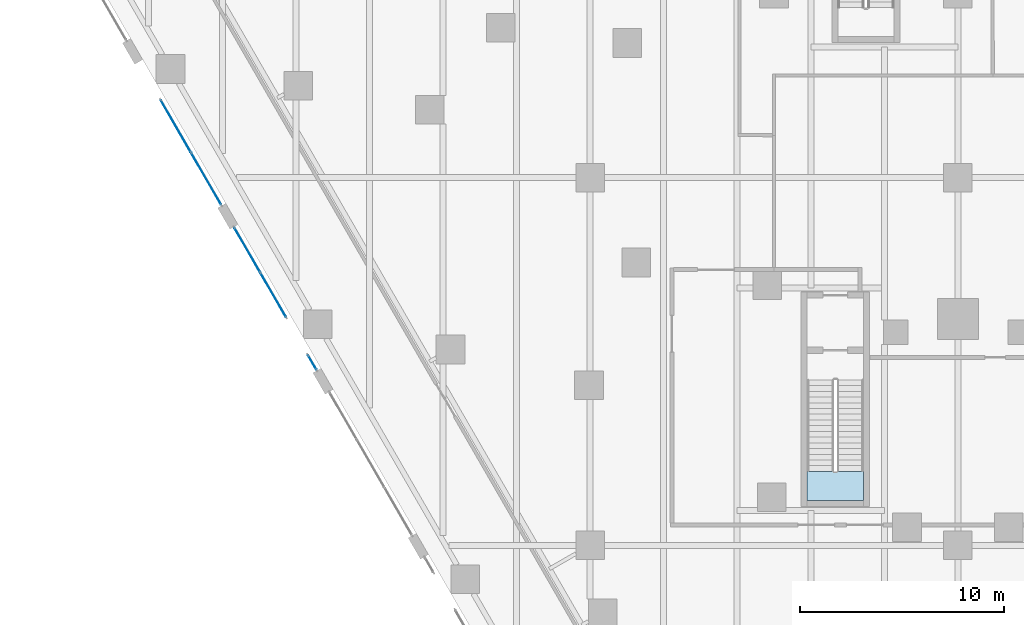
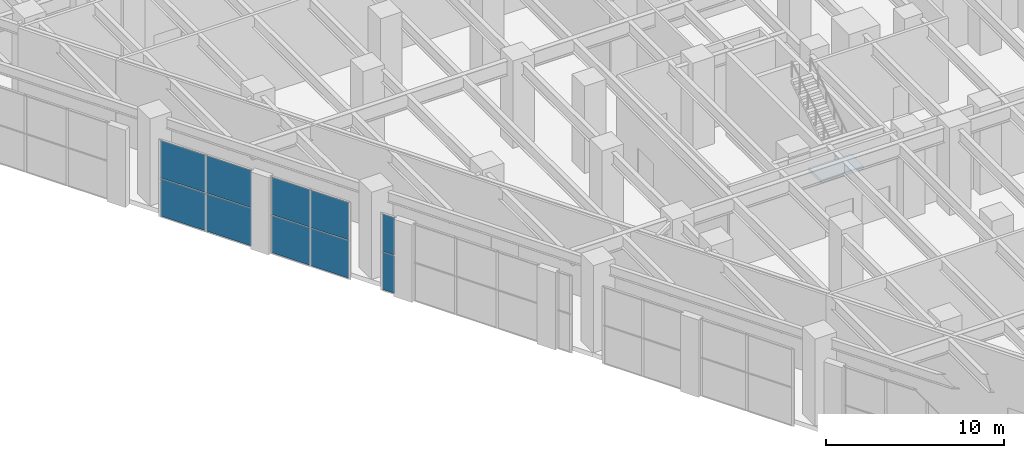
# One storey, part 25 of 37: 10 plates, 1 slab, 4 elements without a shape of their own.
"""IFC4 building model written with IfcOpenShell, lengths in metres."""

from ifc_helpers import new_model, si_unit, direction, frame, origin, origin_2d, place, context, subcontext, project, spatial, polyline, rectangle, outline, extrude, material, layer, layer_set, type_object, element, aggregate, save


model = new_model("IFC4")

# Units and contexts
model_context = context("Model", 3, precision=1e-05, world=origin(), true_north=direction((0.0, 1.0)))
body_context = subcontext(model_context, "Body", "Model", "MODEL_VIEW")
ifc_project = project(units=[si_unit("LENGTHUNIT", "METRE"), si_unit("AREAUNIT", "SQUARE_METRE"), si_unit("VOLUMEUNIT", "CUBIC_METRE"), si_unit("PLANEANGLEUNIT", "RADIAN"), si_unit("MASSUNIT", "GRAM", prefix="KILO")], contexts=[model_context])

# Site, building, storey
site_placement = place(None, origin())
site = spatial("IfcSite", under=ifc_project, at=site_placement, CompositionType="ELEMENT")
building_placement = place(site_placement, origin())
building = spatial("IfcBuilding", under=site, at=building_placement, Name="Aloe Facet Convention Tower", CompositionType="ELEMENT")
storey_placement = place(building_placement, frame((0.0, 0.0, 7.5)))
storey = spatial("IfcBuildingStorey", under=building, at=storey_placement, Name="L01", CompositionType="ELEMENT", Elevation=7.5)

# Stair, slab
ifc_material_1 = material(Name="Concrete C50/60", Category="concrete")
stair_type = type_object("IfcStairType", Name="CR-ST-34R-W1300", PredefinedType="HALF_TURN_STAIR", material=ifc_material_1)
stair_placement = place(storey_placement, origin())
stair = element("IfcStair", 1, at=stair_placement, inside=storey, type_object=stair_type, Name="L01 Protected exit stair ST4", PredefinedType="HALF_TURN_STAIR")
ifc_material_2 = material(Name="Concrete C50/60", Category="concrete")
ifc_layer_1 = layer(ifc_material_2, 0.199951171875)
ifc_layer_set_1 = layer_set([ifc_layer_1], Name="CR-SL-LANDING")
slab_type = type_object("IfcSlabType", Name="CR-SL-LANDING", PredefinedType="LANDING", material=ifc_layer_set_1)
slab_placement = place(storey_placement, frame((0.0, 0.0, 2.800048828125)))
slab = element("IfcSlab", 2, at=slab_placement, type_object=slab_type, Name="ST4 landing 1", PredefinedType="LANDING", context=body_context, shape_type="SweptSolid", body=[
    extrude(outline(polyline([(72.625, 84.6201171875), (72.625, 83.199951171875), (75.375, 83.199951171875), (75.375, 84.6201171875), (72.625, 84.6201171875)])), origin(), (0.0, 0.0, 1.0), 0.199951171875),
])
aggregate(stair, [slab])

# Curtain wall, plates
ifc_material_3 = material(Name="Aluminium, anodised", Category="aluminium")
curtain_wall_type = type_object("IfcCurtainWallType", Name="EV-CW-SHOP", PredefinedType="USERDEFINED", material=ifc_material_3)
curtain_wall_1_placement = place(storey_placement, origin())
curtain_wall_1 = element("IfcCurtainWall", 3, at=curtain_wall_1_placement, inside=storey, type_object=curtain_wall_type, Name="CW-L01-W08", ObjectType="STICK SHOPFRONT GLAZING", PredefinedType="USERDEFINED")
ifc_material_4 = material(Name="Clear double glazing", Category="glass")
ifc_layer_2 = layer(ifc_material_4, 0.028076171875)
ifc_layer_set_2 = layer_set([ifc_layer_2], Name="EV-PANEL-SHOP")
plate_type = type_object("IfcPlateType", Name="EV-PANEL-SHOP", PredefinedType="CURTAIN_PANEL", material=ifc_layer_set_2)
plate_1_placement = place(storey_placement, frame((41.720703125, 101.522216796875, -0.23974609375), z_axis=(0.0, 0.0, 1.0), x_axis=(0.499999999924, -0.866025403828, 0.0)))
plate_1 = element("IfcPlate", 4, at=plate_1_placement, type_object=plate_type, Name="CW-L01-W08 panel 1.1", PredefinedType="CURTAIN_PANEL", context=body_context, shape_type="SweptSolid", body=[
    extrude(rectangle(XDim=2.919189453125, YDim=0.028076171875, at=origin_2d()), origin(), (0.0, 0.0, 1.0), 2.566162109375),
])
plate_2_placement = place(storey_placement, frame((41.720703125, 101.522216796875, 2.38623046875), z_axis=(0.0, 0.0, 1.0), x_axis=(0.499999999924, -0.866025403828, 0.0)))
plate_2 = element("IfcPlate", 5, at=plate_2_placement, type_object=plate_type, Name="CW-L01-W08 panel 1.2", PredefinedType="CURTAIN_PANEL", context=body_context, shape_type="SweptSolid", body=[
    extrude(rectangle(XDim=2.919189453125, YDim=0.028076171875, at=origin_2d()), origin(), (0.0, 0.0, 1.0), 2.566162109375),
])
plate_3_placement = place(storey_placement, frame((43.210205078125, 98.942138671875, -0.23974609375), z_axis=(0.0, 0.0, 1.0), x_axis=(0.499999999924, -0.866025403828, 0.0)))
plate_3 = element("IfcPlate", 6, at=plate_3_placement, type_object=plate_type, Name="CW-L01-W08 panel 2.1", PredefinedType="CURTAIN_PANEL", context=body_context, shape_type="SweptSolid", body=[
    extrude(rectangle(XDim=2.919189453125, YDim=0.028076171875, at=origin_2d()), origin(), (0.0, 0.0, 1.0), 2.566162109375),
])
plate_4_placement = place(storey_placement, frame((43.210205078125, 98.942138671875, 2.38623046875), z_axis=(0.0, 0.0, 1.0), x_axis=(0.499999999924, -0.866025403828, 0.0)))
plate_4 = element("IfcPlate", 7, at=plate_4_placement, type_object=plate_type, Name="CW-L01-W08 panel 2.2", PredefinedType="CURTAIN_PANEL", context=body_context, shape_type="SweptSolid", body=[
    extrude(rectangle(XDim=2.919189453125, YDim=0.028076171875, at=origin_2d()), origin(), (0.0, 0.0, 1.0), 2.566162109375),
])
aggregate(curtain_wall_1, [plate_1, plate_2, plate_3, plate_4])

curtain_wall_2_placement = place(storey_placement, origin())
curtain_wall_2 = element("IfcCurtainWall", 8, at=curtain_wall_2_placement, inside=storey, type_object=curtain_wall_type, Name="CW-L01-W10-1", ObjectType="STICK SHOPFRONT GLAZING", PredefinedType="USERDEFINED")
plate_5_placement = place(storey_placement, frame((45.22119140625, 95.459228515625, -0.23974609375), z_axis=(0.0, 0.0, 1.0), x_axis=(0.500000000121, -0.866025403715, 0.0)))
plate_5 = element("IfcPlate", 9, at=plate_5_placement, type_object=plate_type, Name="CW-L01-W10-1 panel 1.1", PredefinedType="CURTAIN_PANEL", context=body_context, shape_type="SweptSolid", body=[
    extrude(rectangle(XDim=2.484375, YDim=0.028076171875, at=origin_2d()), origin(), (0.0, 0.0, 1.0), 2.566162109375),
])
plate_6_placement = place(storey_placement, frame((45.22119140625, 95.459228515625, 2.38623046875), z_axis=(0.0, 0.0, 1.0), x_axis=(0.500000000121, -0.866025403715, 0.0)))
plate_6 = element("IfcPlate", 10, at=plate_6_placement, type_object=plate_type, Name="CW-L01-W10-1 panel 1.2", PredefinedType="CURTAIN_PANEL", context=body_context, shape_type="SweptSolid", body=[
    extrude(rectangle(XDim=2.484375, YDim=0.028076171875, at=origin_2d()), origin(), (0.0, 0.0, 1.0), 2.566162109375),
])
plate_7_placement = place(storey_placement, frame((46.493408203125, 93.255615234375, -0.23974609375), z_axis=(0.0, 0.0, 1.0), x_axis=(0.500000000121, -0.866025403715, 0.0)))
plate_7 = element("IfcPlate", 11, at=plate_7_placement, type_object=plate_type, Name="CW-L01-W10-1 panel 2.1", PredefinedType="CURTAIN_PANEL", context=body_context, shape_type="SweptSolid", body=[
    extrude(rectangle(XDim=2.484375, YDim=0.028076171875, at=origin_2d()), origin(), (0.0, 0.0, 1.0), 2.566162109375),
])
plate_8_placement = place(storey_placement, frame((46.493408203125, 93.255615234375, 2.38623046875), z_axis=(0.0, 0.0, 1.0), x_axis=(0.500000000121, -0.866025403715, 0.0)))
plate_8 = element("IfcPlate", 12, at=plate_8_placement, type_object=plate_type, Name="CW-L01-W10-1 panel 2.2", PredefinedType="CURTAIN_PANEL", context=body_context, shape_type="SweptSolid", body=[
    extrude(rectangle(XDim=2.484375, YDim=0.028076171875, at=origin_2d()), origin(), (0.0, 0.0, 1.0), 2.566162109375),
])
aggregate(curtain_wall_2, [plate_5, plate_6, plate_7, plate_8])

curtain_wall_3_placement = place(storey_placement, origin())
curtain_wall_3 = element("IfcCurtainWall", 13, at=curtain_wall_3_placement, inside=storey, type_object=curtain_wall_type, Name="CW-L01-W10-2", ObjectType="STICK SHOPFRONT GLAZING", PredefinedType="USERDEFINED")
plate_9_placement = place(storey_placement, frame((48.39990234375, 89.95361328125, -0.23974609375), z_axis=(0.0, 0.0, 1.0), x_axis=(0.499999999849, -0.866025403872, 0.0)))
plate_9 = element("IfcPlate", 14, at=plate_9_placement, type_object=plate_type, Name="CW-L01-W10-2 panel 1.1", PredefinedType="CURTAIN_PANEL", context=body_context, shape_type="SweptSolid", body=[
    extrude(rectangle(XDim=0.803466796875, YDim=0.028076171875, at=origin_2d()), origin(), (0.0, 0.0, 1.0), 2.566162109375),
])
plate_10_placement = place(storey_placement, frame((48.39990234375, 89.95361328125, 2.38623046875), z_axis=(0.0, 0.0, 1.0), x_axis=(0.499999999849, -0.866025403872, 0.0)))
plate_10 = element("IfcPlate", 15, at=plate_10_placement, type_object=plate_type, Name="CW-L01-W10-2 panel 1.2", PredefinedType="CURTAIN_PANEL", context=body_context, shape_type="SweptSolid", body=[
    extrude(rectangle(XDim=0.803466796875, YDim=0.028076171875, at=origin_2d()), origin(), (0.0, 0.0, 1.0), 2.566162109375),
])
aggregate(curtain_wall_3, [plate_9, plate_10])

save(model, "model.ifc")
